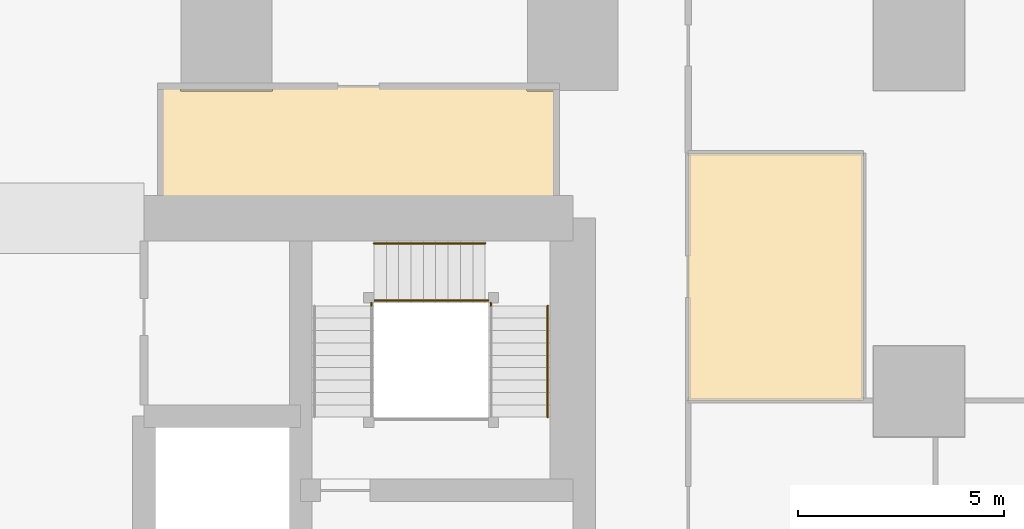
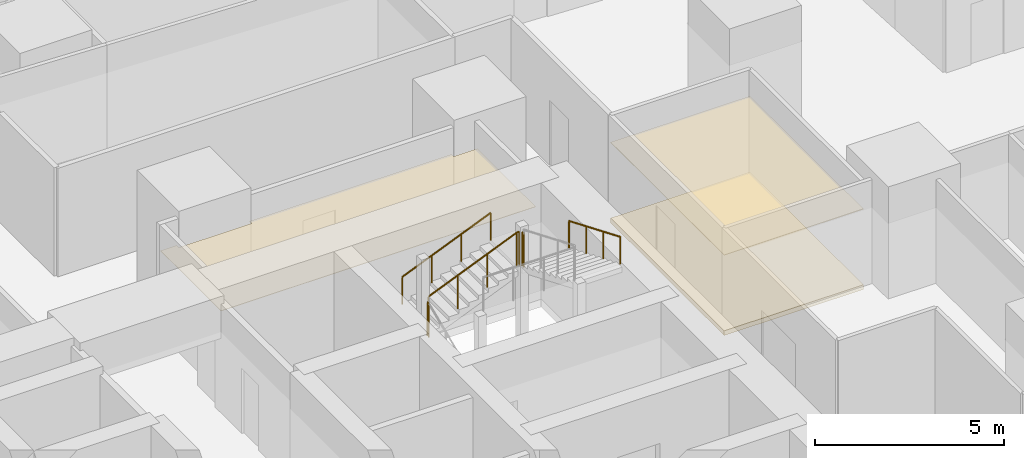
# One storey, part 44 of 45: 6 railings, 3 coverings.
"""IFC4 building model written with IfcOpenShell, lengths in metres."""

from ifc_helpers import new_model, si_unit, direction, frame, origin, origin_2d, place, context, subcontext, project, spatial, polyline, circle, outline, extrude, material, layer, layer_set, type_object, element, save


model = new_model("IFC4")

# Units and contexts
model_context = context("Model", 3, precision=1e-05, world=origin(), true_north=direction((0.0, 1.0)))
body_context = subcontext(model_context, "Body", "Model", "MODEL_VIEW")
ifc_project = project(units=[si_unit("LENGTHUNIT", "METRE"), si_unit("AREAUNIT", "SQUARE_METRE"), si_unit("VOLUMEUNIT", "CUBIC_METRE"), si_unit("PLANEANGLEUNIT", "RADIAN"), si_unit("MASSUNIT", "GRAM", prefix="KILO")], contexts=[model_context])

# Site, building, storey
site_placement = place(None, origin())
site = spatial("IfcSite", under=ifc_project, at=site_placement, CompositionType="ELEMENT")
building_placement = place(site_placement, origin())
building = spatial("IfcBuilding", under=site, at=building_placement, Name="Rekha Terrace Tower", CompositionType="ELEMENT")
storey_placement = place(building_placement, frame((0.0, 0.0, 44.14990234375)))
storey = spatial("IfcBuildingStorey", under=building, at=storey_placement, Name="L10", CompositionType="ELEMENT", Elevation=44.14990234375)

# Coverings
ifc_material_1 = material(Name="Mineral fibre tile in exposed grid", Category="finish")
ifc_layer_1 = layer(ifc_material_1, 0.02001953125)
ifc_layer_set_1 = layer_set([ifc_layer_1], Name="Mineral fibre tile in exposed grid")
covering_type_1 = type_object("IfcCoveringType", Name="CL1 600x1200 office grid ceiling", PredefinedType="CEILING", material=ifc_layer_set_1)
covering_1_placement = place(storey_placement, frame((0.0, 0.0, 2.580078125)))
element("IfcCovering", 1, at=covering_1_placement, inside=storey, type_object=covering_type_1, Name="Ceiling L10-11", PredefinedType="CEILING", context=body_context, shape_type="SweptSolid", body=[
    extrude(outline(polyline([(53.199951171875, 41.781982421875), (57.449951171875, 41.781982421875), (57.449951171875, 47.781982421875), (53.199951171875, 47.781982421875), (53.199951171875, 41.781982421875)])), origin(), (0.0, 0.0, 1.0), 0.02001953125),
])
ifc_material_2 = material(Name="Fibre cement board", Category="finish")
ifc_layer_2 = layer(ifc_material_2, 0.014892578125)
ifc_layer_set_2 = layer_set([ifc_layer_2], Name="Fibre cement board")
covering_type_2 = type_object("IfcCoveringType", Name="CL2 moisture-resistant board ceiling", PredefinedType="CEILING", material=ifc_layer_set_2)
covering_2_placement = place(storey_placement, frame((0.0, 0.0, 2.585205078125)))
element("IfcCovering", 2, at=covering_2_placement, inside=storey, type_object=covering_type_2, Name="Ceiling L10-WCF", PredefinedType="CEILING", context=body_context, shape_type="SweptSolid", body=[
    extrude(outline(polyline([(40.885009765625, 49.39990234375), (40.39990234375, 49.39990234375), (40.39990234375, 46.199951171875), (50.0, 46.199951171875), (50.0, 49.284912109375), (49.284912109375, 49.284912109375), (49.284912109375, 49.39990234375), (43.114990234375, 49.39990234375), (43.114990234375, 49.284912109375), (40.885009765625, 49.284912109375), (40.885009765625, 49.39990234375)])), origin(), (0.0, 0.0, 1.0), 0.014892578125),
])

# Railings
ifc_material_3 = material(Name="Stainless steel balustrade", Category="steel")
railing_type_1 = type_object("IfcRailingType", Name="GR1 1100 stair guard", PredefinedType="GUARDRAIL", material=ifc_material_3)
railing_1_placement = place(storey_placement, frame((45.574951171875, 44.2099609375, 1.375)))
element("IfcRailing", 3, at=railing_1_placement, inside=storey, type_object=railing_type_1, Name="Guard ST2 L10 flight 2", PredefinedType="GUARDRAIL", context=body_context, shape_type="SweptSolid", body=[
    extrude(circle(Radius=0.02392578125, at=origin_2d()), frame((0.0, 0.0, 1.076171875), z_axis=(0.923074453586, 0.0, 0.384621311341), x_axis=(0.0, 1.0, 0.0)), (0.0, 0.0, 1.0), 2.925048828125),
    extrude(circle(Radius=0.02099609375, at=origin_2d()), origin(), (0.0, 0.0, 1.0), 1.052001953125),
    extrude(circle(Radius=0.02099609375, at=origin_2d()), frame((0.89990234375, 0.0, 0.375)), (0.0, 0.0, 1.0), 1.052001953125),
    extrude(circle(Radius=0.02099609375, at=origin_2d()), frame((1.800048828125, 0.0, 0.75)), (0.0, 0.0, 1.0), 1.052001953125),
    extrude(circle(Radius=0.02099609375, at=origin_2d()), frame((2.699951171875, 0.0, 1.125)), (0.0, 0.0, 1.0), 1.052001953125),
])
railing_2_placement = place(storey_placement, frame((45.514892578125, 44.074951171875, 1.25)))
element("IfcRailing", 4, at=railing_2_placement, inside=storey, type_object=railing_type_1, Name="Guard ST2 L10 landing 1", PredefinedType="GUARDRAIL", context=body_context, shape_type="SweptSolid", body=[
    extrude(circle(Radius=0.02392578125, at=origin_2d()), frame((0.0, 0.0, 1.076171875), z_axis=(0.0, 1.0, 0.0), x_axis=(-1.0, 0.0, 0.0)), (0.0, 0.0, 1.0), 0.074951171875),
    extrude(circle(Radius=0.02099609375, at=origin_2d()), origin(), (0.0, 0.0, 1.0), 1.052001953125),
    extrude(circle(Radius=0.02099609375, at=origin_2d()), frame((0.0, 0.074951171875, 0.0)), (0.0, 0.0, 1.0), 1.052001953125),
])
railing_3_placement = place(storey_placement, frame((48.27490234375, 44.2099609375, 2.5)))
element("IfcRailing", 5, at=railing_3_placement, inside=storey, type_object=railing_type_1, Name="Guard ST2 L10 landing 2", PredefinedType="GUARDRAIL", context=body_context, shape_type="SweptSolid", body=[
    extrude(circle(Radius=0.02392578125, at=origin_2d()), frame((0.0, 0.0, 1.076171875), z_axis=(1.0, 0.0, 0.0), x_axis=(0.0, 1.0, 0.0)), (0.0, 0.0, 1.0), 0.0751953125),
    extrude(circle(Radius=0.02099609375, at=origin_2d()), origin(), (0.0, 0.0, 1.0), 1.052001953125),
    extrude(circle(Radius=0.02099609375, at=origin_2d()), frame((0.0751953125, 0.0, 0.0)), (0.0, 0.0, 1.0), 1.052001953125),
])
railing_4_placement = place(storey_placement, frame((48.409912109375, 44.074951171875, 2.5)))
element("IfcRailing", 6, at=railing_4_placement, inside=storey, type_object=railing_type_1, Name="Guard ST2 L10 landing 3", PredefinedType="GUARDRAIL", context=body_context, shape_type="SweptSolid", body=[
    extrude(circle(Radius=0.02392578125, at=origin_2d()), frame((0.0, 0.0, 1.076171875), z_axis=(0.0, 1.0, 0.0), x_axis=(-1.0, 0.0, 0.0)), (0.0, 0.0, 1.0), 0.074951171875),
    extrude(circle(Radius=0.02099609375, at=origin_2d()), origin(), (0.0, 0.0, 1.0), 1.052001953125),
    extrude(circle(Radius=0.02099609375, at=origin_2d()), frame((0.0, 0.074951171875, 0.0)), (0.0, 0.0, 1.0), 1.052001953125),
])
ifc_material_4 = material(Name="Stainless steel tube", Category="steel")
railing_type_2 = type_object("IfcRailingType", Name="HR1 900 stair handrail", PredefinedType="HANDRAIL", material=ifc_material_4)
railing_5_placement = place(storey_placement, frame((45.574951171875, 45.590087890625, 1.375)))
element("IfcRailing", 7, at=railing_5_placement, inside=storey, type_object=railing_type_2, Name="Handrail ST2 L10 flight 2", PredefinedType="HANDRAIL", context=body_context, shape_type="SweptSolid", body=[
    extrude(circle(Radius=0.02392578125, at=origin_2d()), frame((0.0, 0.0, 0.8759765625), z_axis=(0.923074453586, 0.0, 0.384621311341), x_axis=(0.0, 1.0, 0.0)), (0.0, 0.0, 1.0), 2.925048828125),
    extrude(circle(Radius=0.02099609375, at=origin_2d()), origin(), (0.0, 0.0, 1.0), 0.851806640625),
    extrude(circle(Radius=0.02099609375, at=origin_2d()), frame((0.89990234375, 0.0, 0.375)), (0.0, 0.0, 1.0), 0.851806640625),
    extrude(circle(Radius=0.02099609375, at=origin_2d()), frame((1.800048828125, 0.0, 0.75)), (0.0, 0.0, 1.0), 0.851806640625),
    extrude(circle(Radius=0.02099609375, at=origin_2d()), frame((2.699951171875, 0.0, 1.125)), (0.0, 0.0, 1.0), 0.851806640625),
])
railing_6_placement = place(storey_placement, frame((49.7900390625, 44.074951171875, 2.625)))
element("IfcRailing", 8, at=railing_6_placement, inside=storey, type_object=railing_type_2, Name="Handrail ST2 L10 flight 3", PredefinedType="HANDRAIL", context=body_context, shape_type="SweptSolid", body=[
    extrude(circle(Radius=0.02392578125, at=origin_2d()), frame((0.0, 0.0, 0.8759765625), z_axis=(0.0, -0.923074453586, 0.384621311341), x_axis=(1.0, 0.0, 0.0)), (0.0, 0.0, 1.0), 2.925048828125),
    extrude(circle(Radius=0.02099609375, at=origin_2d()), origin(), (0.0, 0.0, 1.0), 0.851806640625),
    extrude(circle(Radius=0.02099609375, at=origin_2d()), frame((0.0, -0.89990234375, 0.375)), (0.0, 0.0, 1.0), 0.851806640625),
    extrude(circle(Radius=0.02099609375, at=origin_2d()), frame((0.0, -1.800048828125, 0.75)), (0.0, 0.0, 1.0), 0.851806640625),
    extrude(circle(Radius=0.02099609375, at=origin_2d()), frame((0.0, -2.699951171875, 1.125)), (0.0, 0.0, 1.0), 0.851806640625),
])

# Covering
ifc_material_5 = material(Name="Calcium sulphate panels on steel pedestals", Category="steel")
ifc_layer_3 = layer(ifc_material_5, 0.14990234375)
ifc_layer_set_3 = layer_set([ifc_layer_3], Name="Calcium sulphate panels on steel pedestals")
covering_type_3 = type_object("IfcCoveringType", Name="RF1 150 raised access floor", PredefinedType="FLOORING", material=ifc_layer_set_3)
covering_3_placement = place(storey_placement, origin())
element("IfcCovering", 9, at=covering_3_placement, inside=storey, type_object=covering_type_3, Name="Raised floor L10-11", PredefinedType="FLOORING", context=body_context, shape_type="SweptSolid", body=[
    extrude(outline(polyline([(53.199951171875, 41.781982421875), (57.449951171875, 41.781982421875), (57.449951171875, 47.781982421875), (53.199951171875, 47.781982421875), (53.199951171875, 41.781982421875)])), origin(), (0.0, 0.0, 1.0), 0.150146484375),
])

save(model, "model.ifc")
